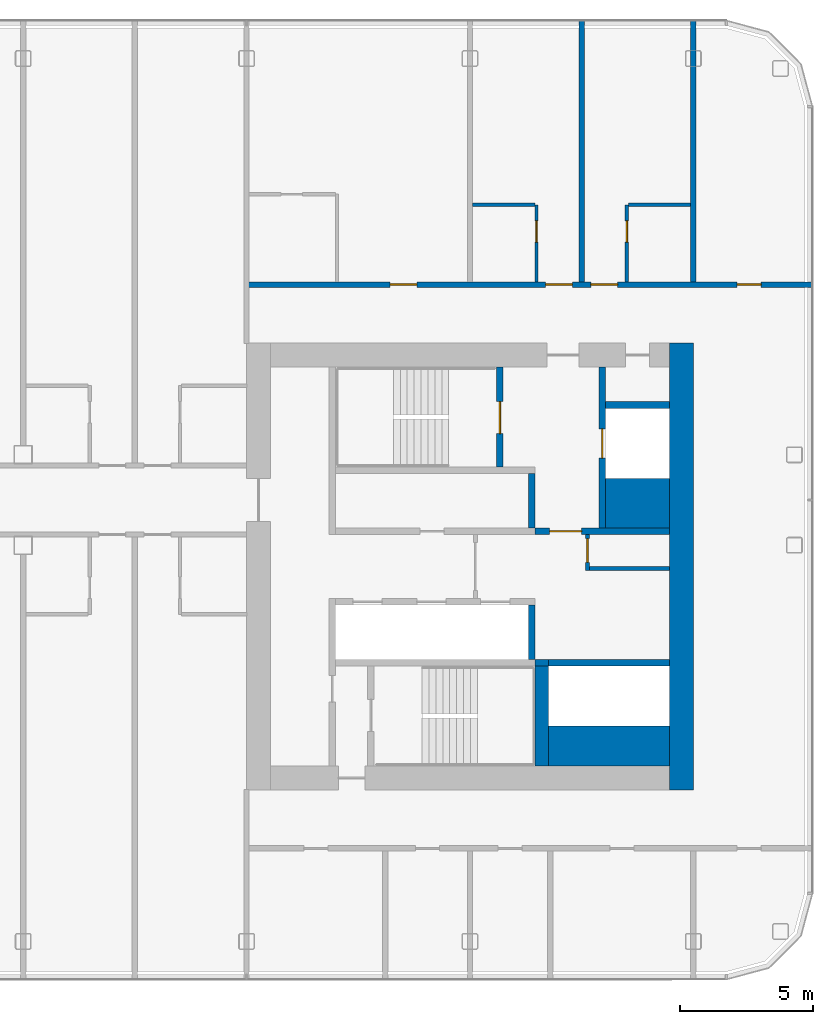
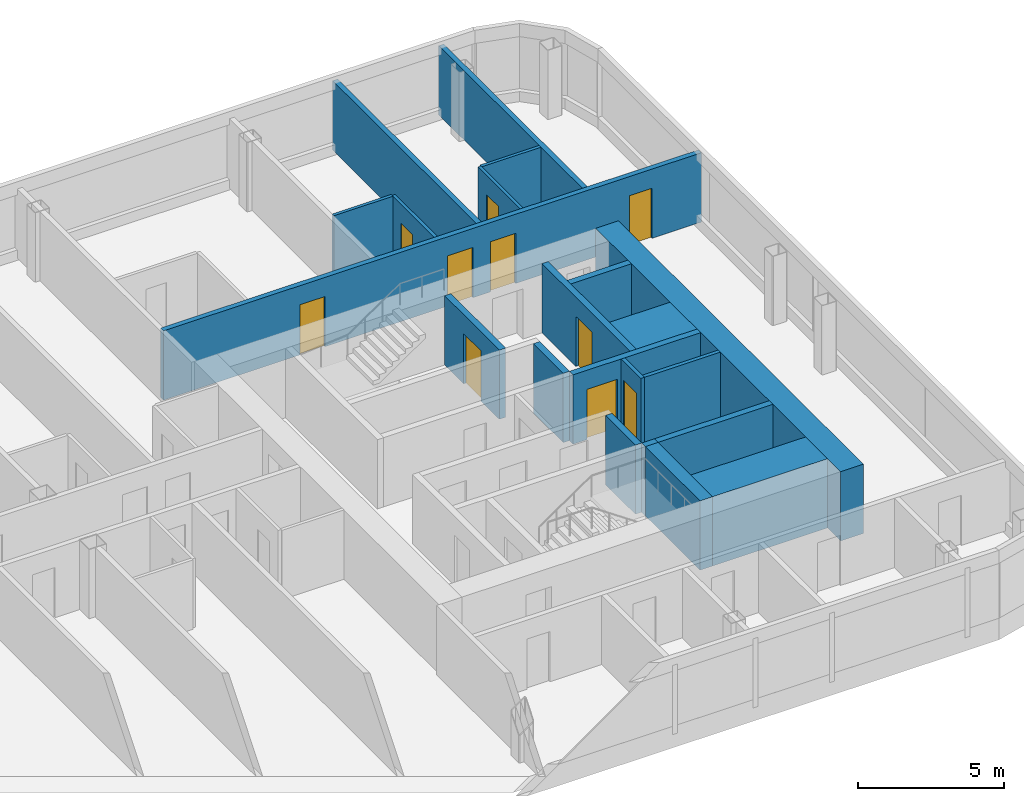
# One storey, part 17 of 26: 21 walls, 10 doors, 10 openings.
"""IFC4 building model written with IfcOpenShell, lengths in metres."""

from ifc_helpers import new_model, si_unit, direction, frame, frame_2d, origin, place, context, subcontext, project, spatial, rectangle, extrude, material, layer, layer_set, type_object, element, fill, save


model = new_model("IFC4")

# Units and contexts
model_context = context("Model", 3, precision=1e-05, world=origin(), true_north=direction((0.0, 1.0)))
body_context = subcontext(model_context, "Body", "Model", "MODEL_VIEW")
ifc_project = project(units=[si_unit("LENGTHUNIT", "METRE"), si_unit("AREAUNIT", "SQUARE_METRE"), si_unit("VOLUMEUNIT", "CUBIC_METRE"), si_unit("PLANEANGLEUNIT", "RADIAN"), si_unit("MASSUNIT", "GRAM", prefix="KILO")], contexts=[model_context])

# Site, building, storey
site_placement = place(None, origin())
site = spatial("IfcSite", under=ifc_project, at=site_placement, CompositionType="ELEMENT")
building_placement = place(site_placement, origin())
building = spatial("IfcBuilding", under=site, at=building_placement, Name="Hakoniwa Tower and Hamabe Station Hall", CompositionType="ELEMENT")
storey_placement = place(building_placement, frame((0.0, 0.0, 225.0)))
storey = spatial("IfcBuildingStorey", under=building, at=storey_placement, Name="L64", CompositionType="ELEMENT", Elevation=225.0)

# Walls
ifc_material_1 = material(Name="Gypsum board partition", Category="gypsum")
ifc_layer_1 = layer(ifc_material_1, 0.125)
ifc_layer_set_1 = layer_set([ifc_layer_1], Name="Bathroom Partition 125")
wall_type_1 = type_object("IfcWallType", Name="Bathroom Partition 125", PredefinedType="PARTITIONING", material=ifc_layer_set_1)
for number, where, z_axis, x_axis, name in (
    (1, (25.300048828125, 13.60009765625, 0.0), (0.0, 0.0, 1.0), (1.0, 0.0, 0.0), "GW-L64-017"),
    (2, (31.16259765625, 13.60009765625, 0.0), (0.0, 0.0, 1.0), (1.0, 0.0, 0.0), "GW-L64-018"),
):
    element("IfcWall", number, at=place(storey_placement, frame(where, z_axis=z_axis, x_axis=x_axis)), inside=storey, type_object=wall_type_1, Name=name, PredefinedType="PARTITIONING", context=body_context, shape_type="SweptSolid", body=[
        extrude(rectangle(XDim=2.33740234375, YDim=0.125, at=frame_2d((1.168701171875, 0.0))), origin(), (0.0, 0.0, 1.0), 2.89990234375),
    ])

# Wall, opening, door
wall_1_placement = place(storey_placement, frame((27.699951171875, 10.699951171875, 0.0), z_axis=(0.0, 0.0, 1.0), x_axis=(0.0, 1.0, 0.0)))
wall_1 = element("IfcWall", 3, at=wall_1_placement, inside=storey, type_object=wall_type_1, Name="GW-L64-058", PredefinedType="PARTITIONING", context=body_context, shape_type="SweptSolid", body=[
    extrude(rectangle(XDim=2.900146484375, YDim=0.125, at=frame_2d((1.4501953125, 0.0))), origin(), (0.0, 0.0, 1.0), 2.89990234375),
])
opening_1_placement = place(wall_1_placement, frame((1.5, 0.0, 0.0)))
opening_1 = element("IfcOpeningElement", 4, at=opening_1_placement, cuts=wall_1, Name="Opening GD-G4C2-43", PredefinedType="OPENING", context=body_context, shape_type="SweptSolid", body=[
    extrude(rectangle(XDim=0.800048828125, YDim=2.10009765625, at=frame_2d((0.39990234375, 1.050048828125))), frame((0.0, 0.072509765625, 0.0), z_axis=(0.0, -1.0, 0.0), x_axis=(1.0, 0.0, 0.0)), (0.0, 0.0, 1.0), 0.14501953125),
])
ifc_material_2 = material(Name="Timber door leaf", Category="wood")
door_type_1 = type_object("IfcDoorType", Name="Bathroom Door 800", OperationType="SINGLE_SWING_LEFT", PredefinedType="DOOR", material=ifc_material_2)
door_1_placement = place(opening_1_placement, origin())
door_1 = element("IfcDoor", 5, at=door_1_placement, inside=storey, type_object=door_type_1, Name="Door GD-G4C2-43", OperationType="SINGLE_SWING_LEFT", OverallHeight=2.10009765625, OverallWidth=0.800048828125, PredefinedType="DOOR", context=body_context, shape_type="SweptSolid", body=[
    extrude(rectangle(XDim=0.800048828125, YDim=2.10009765625, at=frame_2d((0.39990234375, 1.050048828125))), frame((0.0, 0.02490234375, 0.0), z_axis=(0.0, -1.0, 0.0), x_axis=(1.0, 0.0, 0.0)), (0.0, 0.0, 1.0), 0.050048828125),
])
fill(opening_1, door_1)

wall_2_placement = place(storey_placement, frame((31.10009765625, 10.699951171875, 0.0), z_axis=(0.0, 0.0, 1.0), x_axis=(0.0, 1.0, 0.0)))
wall_2 = element("IfcWall", 6, at=wall_2_placement, inside=storey, type_object=wall_type_1, Name="GW-L64-061", PredefinedType="PARTITIONING", context=body_context, shape_type="SweptSolid", body=[
    extrude(rectangle(XDim=2.900146484375, YDim=0.125, at=frame_2d((1.4501953125, 0.0))), origin(), (0.0, 0.0, 1.0), 2.89990234375),
])
opening_2_placement = place(wall_2_placement, frame((1.5, 0.0, 0.0)))
opening_2 = element("IfcOpeningElement", 7, at=opening_2_placement, cuts=wall_2, Name="Opening GD-G4C2-44", PredefinedType="OPENING", context=body_context, shape_type="SweptSolid", body=[
    extrude(rectangle(XDim=0.800048828125, YDim=2.10009765625, at=frame_2d((0.39990234375, 1.050048828125))), frame((0.0, 0.072509765625, 0.0), z_axis=(0.0, -1.0, 0.0), x_axis=(1.0, 0.0, 0.0)), (0.0, 0.0, 1.0), 0.14501953125),
])
door_2_placement = place(opening_2_placement, origin())
door_2 = element("IfcDoor", 8, at=door_2_placement, inside=storey, type_object=door_type_1, Name="Door GD-G4C2-44", OperationType="SINGLE_SWING_RIGHT", OverallHeight=2.10009765625, OverallWidth=0.800048828125, PredefinedType="DOOR", context=body_context, shape_type="SweptSolid", body=[
    extrude(rectangle(XDim=0.800048828125, YDim=2.10009765625, at=frame_2d((0.39990234375, 1.050048828125))), frame((0.0, 0.02490234375, 0.0), z_axis=(0.0, -1.0, 0.0), x_axis=(1.0, 0.0, 0.0)), (0.0, 0.0, 1.0), 0.050048828125),
])
fill(opening_2, door_2)

ifc_material_3 = material(Name="Gypsum board partition")
ifc_layer_2 = layer(ifc_material_3, 0.14990234375)
ifc_layer_set_2 = layer_set([ifc_layer_2], Name="CORE PARTITION 150 EI 60")
wall_type_2 = type_object("IfcWallType", Name="CORE PARTITION 150 EI 60", PredefinedType="PARTITIONING", material=ifc_layer_set_2)
wall_3_placement = place(storey_placement, frame((29.625, -0.14990234375, 0.0), z_axis=(0.0, 0.0, 1.0), x_axis=(0.0, 1.0, 0.0)))
wall_3 = element("IfcWall", 9, at=wall_3_placement, inside=storey, type_object=wall_type_2, Name="Core partition PW0 east", PredefinedType="PARTITIONING", context=body_context, shape_type="SweptSolid", body=[
    extrude(rectangle(XDim=1.349853515625, YDim=0.14990234375, at=frame_2d((0.6748046875, 0.0))), origin(), (0.0, 0.0, 1.0), 2.89990234375),
])
opening_3_placement = place(wall_3_placement, frame((0.300048828125, 0.0, 0.0)))
opening_3 = element("IfcOpeningElement", 10, at=opening_3_placement, cuts=wall_3, Name="Opening CD-E-RM1-9", PredefinedType="OPENING", context=body_context, shape_type="SweptSolid", body=[
    extrude(rectangle(XDim=0.89990234375, YDim=2.10009765625, at=frame_2d((0.449951171875, 1.050048828125))), frame((0.0, 0.0849609375, 0.0), z_axis=(0.0, -1.0, 0.0), x_axis=(1.0, 0.0, 0.0)), (0.0, 0.0, 1.0), 0.169921875),
])
ifc_material_4 = material(Name="Steel fire door", Category="steel")
door_type_2 = type_object("IfcDoorType", Name="CORE DOOR 900 FD30", OperationType="NOTDEFINED", PredefinedType="DOOR", material=ifc_material_4)
door_3_placement = place(opening_3_placement, origin())
door_3 = element("IfcDoor", 11, at=door_3_placement, inside=storey, type_object=door_type_2, Name="Store room door", OperationType="SINGLE_SWING_RIGHT", OverallHeight=2.10009765625, OverallWidth=0.89990234375, PredefinedType="DOOR", context=body_context, shape_type="SweptSolid", body=[
    extrude(rectangle(XDim=0.89990234375, YDim=2.10009765625, at=frame_2d((0.449951171875, 1.050048828125))), frame((0.0, 0.02490234375, 0.0), z_axis=(0.0, -1.0, 0.0), x_axis=(1.0, 0.0, 0.0)), (0.0, 0.0, 1.0), 0.050048828125),
])
fill(opening_3, door_3)

# Walls
wall_4_placement = place(storey_placement, frame((29.699951171875, -0.074951171875, 0.0), z_axis=(0.0, 0.0, 1.0), x_axis=(1.0, 0.0, 0.0)))
element("IfcWall", 12, at=wall_4_placement, inside=storey, type_object=wall_type_2, Name="Core partition PS east", PredefinedType="PARTITIONING", context=body_context, shape_type="SweptSolid", body=[
    extrude(rectangle(XDim=3.0, YDim=0.14990234375, at=frame_2d((1.5, 0.0))), origin(), (0.0, 0.0, 1.0), 2.89990234375),
])
ifc_material_5 = material(Name="Concrete C60", Category="concrete")
ifc_layer_3 = layer(ifc_material_5, 0.89990234375)
ifc_layer_set_3 = layer_set([ifc_layer_3], Name="CORE WALL 900 C60")
wall_type_3 = type_object("IfcWallType", Name="CORE WALL 900 C60", PredefinedType="SHEAR", material=ifc_layer_set_3)
wall_5_placement = place(storey_placement, frame((33.14990234375, -8.39990234375, 0.0), z_axis=(0.0, 0.0, 1.0), x_axis=(0.0, 1.0, 0.0)))
element("IfcWall", 13, at=wall_5_placement, inside=storey, type_object=wall_type_3, Name="Core wall OUTER east", PredefinedType="SHEAR", context=body_context, shape_type="SweptSolid", body=[
    extrude(rectangle(XDim=16.7998046875, YDim=0.89990234375, at=frame_2d((8.39990234375, 0.0))), origin(), (0.0, 0.0, 1.0), 2.89990234375),
])
ifc_material_6 = material(Name="Concrete C60", Category="concrete")
ifc_layer_4 = layer(ifc_material_6, 1.5)
ifc_layer_set_4 = layer_set([ifc_layer_4], Name="CORE WEB WALL 1500 C60")
wall_type_4 = type_object("IfcWallType", Name="CORE WEB WALL 1500 C60", PredefinedType="SHEAR", material=ifc_layer_set_4)
wall_6_placement = place(storey_placement, frame((28.14990234375, -6.75, 0.0), z_axis=(0.0, 0.0, 1.0), x_axis=(1.0, 0.0, 0.0)))
element("IfcWall", 14, at=wall_6_placement, inside=storey, type_object=wall_type_4, Name="Core wall SER east", PredefinedType="SHEAR", context=body_context, shape_type="SweptSolid", body=[
    extrude(rectangle(XDim=4.550048828125, YDim=1.5, at=frame_2d((2.27490234375, 0.0))), origin(), (0.0, 0.0, 1.0), 2.89990234375),
])
ifc_material_7 = material(Name="Concrete C60", Category="concrete")
ifc_layer_5 = layer(ifc_material_7, 1.85009765625)
ifc_layer_set_5 = layer_set([ifc_layer_5], Name="CORE WEB WALL 1850 C60")
wall_type_5 = type_object("IfcWallType", Name="CORE WEB WALL 1850 C60", PredefinedType="SHEAR", material=ifc_layer_set_5)
wall_7_placement = place(storey_placement, frame((30.300048828125, 2.375, 0.0), z_axis=(0.0, 0.0, 1.0), x_axis=(1.0, 0.0, 0.0)))
element("IfcWall", 15, at=wall_7_placement, inside=storey, type_object=wall_type_5, Name="Core wall CA east", PredefinedType="SHEAR", context=body_context, shape_type="SweptSolid", body=[
    extrude(rectangle(XDim=2.39990234375, YDim=1.85009765625, at=frame_2d((1.199951171875, 0.0))), origin(), (0.0, 0.0, 1.0), 2.89990234375),
])
ifc_material_8 = material(Name="Concrete C60", Category="concrete")
ifc_layer_6 = layer(ifc_material_8, 0.25)
ifc_layer_set_6 = layer_set([ifc_layer_6], Name="CORE WEB WALL 250 C60")
wall_type_6 = type_object("IfcWallType", Name="CORE WEB WALL 250 C60", PredefinedType="SHEAR", material=ifc_layer_set_6)
wall_8_placement = place(storey_placement, frame((27.52490234375, 1.449951171875, 0.0), z_axis=(0.0, 0.0, 1.0), x_axis=(0.0, 1.0, 0.0)))
element("IfcWall", 16, at=wall_8_placement, inside=storey, type_object=wall_type_6, Name="Core wall NE east", PredefinedType="SHEAR", context=body_context, shape_type="SweptSolid", body=[
    extrude(rectangle(XDim=2.050048828125, YDim=0.25, at=frame_2d((1.02490234375, 0.0))), origin(), (0.0, 0.0, 1.0), 2.89990234375),
])

# Wall, opening, door
wall_9_placement = place(storey_placement, frame((26.324951171875, 3.75, 0.0), z_axis=(0.0, 0.0, 1.0), x_axis=(0.0, 1.0, 0.0)))
wall_9 = element("IfcWall", 17, at=wall_9_placement, inside=storey, type_object=wall_type_6, Name="Core wall NSE east", PredefinedType="SHEAR", context=body_context, shape_type="SweptSolid", body=[
    extrude(rectangle(XDim=3.75, YDim=0.25, at=frame_2d((1.875, 0.0))), origin(), (0.0, 0.0, 1.0), 2.89990234375),
])
opening_4_placement = place(wall_9_placement, frame((1.25, 0.0, 0.0)))
opening_4 = element("IfcOpeningElement", 18, at=opening_4_placement, cuts=wall_9, Name="Opening CD-E-SN-12", PredefinedType="OPENING", context=body_context, shape_type="SweptSolid", body=[
    extrude(rectangle(XDim=1.199951171875, YDim=2.10009765625, at=frame_2d((0.60009765625, 1.050048828125))), frame((0.0, 0.135009765625, 0.0), z_axis=(0.0, -1.0, 0.0), x_axis=(1.0, 0.0, 0.0)), (0.0, 0.0, 1.0), 0.27001953125),
])
ifc_material_9 = material(Name="Steel fire door", Category="steel")
door_type_3 = type_object("IfcDoorType", Name="CORE DOOR 1200 FD60", OperationType="DOUBLE_DOOR_SINGLE_SWING", PredefinedType="DOOR", material=ifc_material_9)
door_4_placement = place(opening_4_placement, origin())
door_4 = element("IfcDoor", 19, at=door_4_placement, inside=storey, type_object=door_type_3, Name="Escape stair door", OperationType="DOUBLE_DOOR_SINGLE_SWING", OverallHeight=2.10009765625, OverallWidth=1.199951171875, PredefinedType="DOOR", context=body_context, shape_type="SweptSolid", body=[
    extrude(rectangle(XDim=1.199951171875, YDim=2.10009765625, at=frame_2d((0.60009765625, 1.050048828125))), frame((0.0, 0.02490234375, 0.0), z_axis=(0.0, -1.0, 0.0), x_axis=(1.0, 0.0, 0.0)), (0.0, 0.0, 1.0), 0.050048828125),
])
fill(opening_4, door_4)

wall_10_placement = place(storey_placement, frame((27.64990234375, 1.324951171875, 0.0), z_axis=(0.0, 0.0, 1.0), x_axis=(1.0, 0.0, 0.0)))
wall_10 = element("IfcWall", 20, at=wall_10_placement, inside=storey, type_object=wall_type_6, Name="Core wall ELN east", PredefinedType="SHEAR", context=body_context, shape_type="SweptSolid", body=[
    extrude(rectangle(XDim=5.050048828125, YDim=0.25, at=frame_2d((2.52490234375, 0.0))), origin(), (0.0, 0.0, 1.0), 2.89990234375),
])
opening_5_placement = place(wall_10_placement, frame((0.550048828125, 0.0, 0.0)))
opening_5 = element("IfcOpeningElement", 21, at=opening_5_placement, cuts=wall_10, Name="Opening CD-E-FL-12", PredefinedType="OPENING", context=body_context, shape_type="SweptSolid", body=[
    extrude(rectangle(XDim=1.199951171875, YDim=2.10009765625, at=frame_2d((0.60009765625, 1.050048828125))), frame((0.0, 0.135009765625, 0.0), z_axis=(0.0, -1.0, 0.0), x_axis=(1.0, 0.0, 0.0)), (0.0, 0.0, 1.0), 0.27001953125),
])
door_5_placement = place(opening_5_placement, origin())
door_5 = element("IfcDoor", 22, at=door_5_placement, inside=storey, type_object=door_type_3, Name="Stair vestibule door to the fire-fighting lobby", OperationType="DOUBLE_DOOR_SINGLE_SWING", OverallHeight=2.10009765625, OverallWidth=1.199951171875, PredefinedType="DOOR", context=body_context, shape_type="SweptSolid", body=[
    extrude(rectangle(XDim=1.199951171875, YDim=2.10009765625, at=frame_2d((0.60009765625, 1.050048828125))), frame((0.0, 0.02490234375, 0.0), z_axis=(0.0, -1.0, 0.0), x_axis=(1.0, 0.0, 0.0)), (0.0, 0.0, 1.0), 0.050048828125),
])
fill(opening_5, door_5)

wall_11_placement = place(storey_placement, frame((30.175048828125, 1.449951171875, 0.0), z_axis=(0.0, 0.0, 1.0), x_axis=(0.0, 1.0, 0.0)))
wall_11 = element("IfcWall", 23, at=wall_11_placement, inside=storey, type_object=wall_type_6, Name="Core wall FFF east", PredefinedType="SHEAR", context=body_context, shape_type="SweptSolid", body=[
    extrude(rectangle(XDim=6.050048828125, YDim=0.25, at=frame_2d((3.02490234375, 0.0))), origin(), (0.0, 0.0, 1.0), 2.89990234375),
])
opening_6_placement = place(wall_11_placement, frame((2.625, 0.0, 0.0)))
opening_6 = element("IfcOpeningElement", 24, at=opening_6_placement, cuts=wall_11, Name="Opening LD-FF2", PredefinedType="OPENING", context=body_context, shape_type="SweptSolid", body=[
    extrude(rectangle(XDim=1.10009765625, YDim=2.10009765625, at=frame_2d((0.550048828125, 1.050048828125))), frame((0.0, 0.135009765625, 0.0), z_axis=(0.0, -1.0, 0.0), x_axis=(1.0, 0.0, 0.0)), (0.0, 0.0, 1.0), 0.27001953125),
])
ifc_material_10 = material(Name="Stainless steel SUS304", Category="steel")
door_type_4 = type_object("IfcDoorType", Name="LIFT LANDING DOOR 1100 FD60", OperationType="DOUBLE_DOOR_SLIDING", PredefinedType="DOOR", material=ifc_material_10)
door_6_placement = place(opening_6_placement, origin())
door_6 = element("IfcDoor", 25, at=door_6_placement, inside=storey, type_object=door_type_4, Name="Lift landing door FF2 L64", OperationType="DOUBLE_DOOR_SLIDING", OverallHeight=2.10009765625, OverallWidth=1.10009765625, PredefinedType="DOOR", context=body_context, shape_type="SweptSolid", body=[
    extrude(rectangle(XDim=1.10009765625, YDim=2.10009765625, at=frame_2d((0.550048828125, 1.050048828125))), frame((0.0, 0.02490234375, 0.0), z_axis=(0.0, -1.0, 0.0), x_axis=(1.0, 0.0, 0.0)), (0.0, 0.0, 1.0), 0.050048828125),
])
fill(opening_6, door_6)

# Walls
wall_12_placement = place(storey_placement, frame((30.300048828125, 6.074951171875, 0.0), z_axis=(0.0, 0.0, 1.0), x_axis=(1.0, 0.0, 0.0)))
element("IfcWall", 26, at=wall_12_placement, inside=storey, type_object=wall_type_6, Name="Core wall C2 east", PredefinedType="SHEAR", context=body_context, shape_type="SweptSolid", body=[
    extrude(rectangle(XDim=2.39990234375, YDim=0.25, at=frame_2d((1.199951171875, 0.0))), origin(), (0.0, 0.0, 1.0), 2.89990234375),
])
wall_13_placement = place(storey_placement, frame((27.52490234375, -3.5, 0.0), z_axis=(0.0, 0.0, 1.0), x_axis=(0.0, 1.0, 0.0)))
element("IfcWall", 27, at=wall_13_placement, inside=storey, type_object=wall_type_6, Name="Core wall SE east", PredefinedType="SHEAR", context=body_context, shape_type="SweptSolid", body=[
    extrude(rectangle(XDim=2.050048828125, YDim=0.25, at=frame_2d((1.02490234375, 0.0))), origin(), (0.0, 0.0, 1.0), 2.89990234375),
])
wall_14_placement = place(storey_placement, frame((28.14990234375, -3.625, 0.0), z_axis=(0.0, 0.0, 1.0), x_axis=(1.0, 0.0, 0.0)))
element("IfcWall", 28, at=wall_14_placement, inside=storey, type_object=wall_type_6, Name="Core wall SEF east", PredefinedType="SHEAR", context=body_context, shape_type="SweptSolid", body=[
    extrude(rectangle(XDim=4.550048828125, YDim=0.25, at=frame_2d((2.27490234375, 0.0))), origin(), (0.0, 0.0, 1.0), 2.89990234375),
])
wall_15_placement = place(storey_placement, frame((27.64990234375, -3.625, 0.0), z_axis=(0.0, 0.0, 1.0), x_axis=(1.0, 0.0, 0.0)))
element("IfcWall", 29, at=wall_15_placement, inside=storey, type_object=wall_type_6, Name="Core wall SRK east", PredefinedType="SHEAR", context=body_context, shape_type="SweptSolid", body=[
    extrude(rectangle(XDim=0.5, YDim=0.25, at=frame_2d((0.25, 0.0))), origin(), (0.0, 0.0, 1.0), 2.89990234375),
])
ifc_material_11 = material(Name="Concrete C60", Category="concrete")
ifc_layer_7 = layer(ifc_material_11, 0.5)
ifc_layer_set_7 = layer_set([ifc_layer_7], Name="CORE WEB WALL 500 C60")
wall_type_7 = type_object("IfcWallType", Name="CORE WEB WALL 500 C60", PredefinedType="SHEAR", material=ifc_layer_set_7)
wall_16_placement = place(storey_placement, frame((27.89990234375, -7.5, 0.0), z_axis=(0.0, 0.0, 1.0), x_axis=(0.0, 1.0, 0.0)))
element("IfcWall", 30, at=wall_16_placement, inside=storey, type_object=wall_type_7, Name="Core wall SSE east", PredefinedType="SHEAR", context=body_context, shape_type="SweptSolid", body=[
    extrude(rectangle(XDim=3.75, YDim=0.5, at=frame_2d((1.875, 0.0))), origin(), (0.0, 0.0, 1.0), 2.89990234375),
])

# Wall, openings, doors
ifc_material_12 = material(Name="Fire-rated gypsum board partition", Category="gypsum")
ifc_layer_8 = layer(ifc_material_12, 0.199951171875)
ifc_layer_set_8 = layer_set([ifc_layer_8], Name="Corridor Wall 200")
wall_type_8 = type_object("IfcWallType", Name="Corridor Wall 200", PredefinedType="PARTITIONING", material=ifc_layer_set_8)
wall_17_placement = place(storey_placement, frame((16.800048828125, 10.60009765625, 0.0), z_axis=(0.0, 0.0, 1.0), x_axis=(1.0, 0.0, 0.0)))
wall_17 = element("IfcWall", 31, at=wall_17_placement, inside=storey, type_object=wall_type_8, Name="GW-L64-016", PredefinedType="PARTITIONING", context=body_context, shape_type="SweptSolid", body=[
    extrude(rectangle(XDim=21.300048828125, YDim=0.199951171875, at=frame_2d((10.64990234375, 0.0))), origin(), (0.0, 0.0, 1.0), 2.89990234375),
])
opening_7_placement = place(wall_17_placement, frame((5.39990234375, 0.0, 0.0)))
opening_7 = element("IfcOpeningElement", 32, at=opening_7_placement, cuts=wall_17, Name="Opening GD-G4C2-28", PredefinedType="OPENING", context=body_context, shape_type="SweptSolid", body=[
    extrude(rectangle(XDim=1.0, YDim=2.10009765625, at=frame_2d((0.5, 1.050048828125))), frame((0.0, 0.10986328125, 0.0), z_axis=(0.0, -1.0, 0.0), x_axis=(1.0, 0.0, 0.0)), (0.0, 0.0, 1.0), 0.219970703125),
])
opening_8_placement = place(wall_17_placement, frame((11.25, 0.0, 0.0)))
opening_8 = element("IfcOpeningElement", 33, at=opening_8_placement, cuts=wall_17, Name="Opening GD-G4C2-29", PredefinedType="OPENING", context=body_context, shape_type="SweptSolid", body=[
    extrude(rectangle(XDim=1.0, YDim=2.10009765625, at=frame_2d((0.5, 1.050048828125))), frame((0.0, 0.10986328125, 0.0), z_axis=(0.0, -1.0, 0.0), x_axis=(1.0, 0.0, 0.0)), (0.0, 0.0, 1.0), 0.219970703125),
])
opening_9_placement = place(wall_17_placement, frame((12.949951171875, 0.0, 0.0)))
opening_9 = element("IfcOpeningElement", 34, at=opening_9_placement, cuts=wall_17, Name="Opening GD-G4C2-30", PredefinedType="OPENING", context=body_context, shape_type="SweptSolid", body=[
    extrude(rectangle(XDim=1.0, YDim=2.10009765625, at=frame_2d((0.5, 1.050048828125))), frame((0.0, 0.10986328125, 0.0), z_axis=(0.0, -1.0, 0.0), x_axis=(1.0, 0.0, 0.0)), (0.0, 0.0, 1.0), 0.219970703125),
])
opening_10_placement = place(wall_17_placement, frame((18.449951171875, 0.0, 0.0)))
opening_10 = element("IfcOpeningElement", 35, at=opening_10_placement, cuts=wall_17, Name="Opening GD-G4C2-31", PredefinedType="OPENING", context=body_context, shape_type="SweptSolid", body=[
    extrude(rectangle(XDim=0.89990234375, YDim=2.10009765625, at=frame_2d((0.449951171875, 1.050048828125))), frame((0.0, 0.10986328125, 0.0), z_axis=(0.0, -1.0, 0.0), x_axis=(1.0, 0.0, 0.0)), (0.0, 0.0, 1.0), 0.219970703125),
])
ifc_material_13 = material(Name="Timber door leaf", Category="wood")
door_type_5 = type_object("IfcDoorType", Name="Guest Entrance Door 1000", OperationType="SINGLE_SWING_LEFT", PredefinedType="DOOR", material=ifc_material_13)
door_7_placement = place(opening_7_placement, origin())
door_7 = element("IfcDoor", 36, at=door_7_placement, inside=storey, type_object=door_type_5, Name="Door GD-G4C2-28", OperationType="SINGLE_SWING_RIGHT", OverallHeight=2.10009765625, OverallWidth=1.0, PredefinedType="DOOR", context=body_context, shape_type="SweptSolid", body=[
    extrude(rectangle(XDim=1.0, YDim=2.10009765625, at=frame_2d((0.5, 1.050048828125))), frame((0.0, 0.02490234375, 0.0), z_axis=(0.0, -1.0, 0.0), x_axis=(1.0, 0.0, 0.0)), (0.0, 0.0, 1.0), 0.050048828125),
])
fill(opening_7, door_7)
door_8_placement = place(opening_8_placement, origin())
door_8 = element("IfcDoor", 37, at=door_8_placement, inside=storey, type_object=door_type_5, Name="Door GD-G4C2-29", OperationType="SINGLE_SWING_LEFT", OverallHeight=2.10009765625, OverallWidth=1.0, PredefinedType="DOOR", context=body_context, shape_type="SweptSolid", body=[
    extrude(rectangle(XDim=1.0, YDim=2.10009765625, at=frame_2d((0.5, 1.050048828125))), frame((0.0, 0.02490234375, 0.0), z_axis=(0.0, -1.0, 0.0), x_axis=(1.0, 0.0, 0.0)), (0.0, 0.0, 1.0), 0.050048828125),
])
fill(opening_8, door_8)
door_9_placement = place(opening_9_placement, origin())
door_9 = element("IfcDoor", 38, at=door_9_placement, inside=storey, type_object=door_type_5, Name="Door GD-G4C2-30", OperationType="SINGLE_SWING_LEFT", OverallHeight=2.10009765625, OverallWidth=1.0, PredefinedType="DOOR", context=body_context, shape_type="SweptSolid", body=[
    extrude(rectangle(XDim=1.0, YDim=2.10009765625, at=frame_2d((0.5, 1.050048828125))), frame((0.0, 0.02490234375, 0.0), z_axis=(0.0, -1.0, 0.0), x_axis=(1.0, 0.0, 0.0)), (0.0, 0.0, 1.0), 0.050048828125),
])
fill(opening_9, door_9)
ifc_material_14 = material(Name="Timber door leaf", Category="wood")
door_type_6 = type_object("IfcDoorType", Name="Service Door 900", OperationType="SINGLE_SWING_LEFT", PredefinedType="DOOR", material=ifc_material_14)
door_10_placement = place(opening_10_placement, origin())
door_10 = element("IfcDoor", 39, at=door_10_placement, inside=storey, type_object=door_type_6, Name="Door GD-G4C2-31", OperationType="SINGLE_SWING_RIGHT", OverallHeight=2.10009765625, OverallWidth=0.89990234375, PredefinedType="DOOR", context=body_context, shape_type="SweptSolid", body=[
    extrude(rectangle(XDim=0.89990234375, YDim=2.10009765625, at=frame_2d((0.449951171875, 1.050048828125))), frame((0.0, 0.02490234375, 0.0), z_axis=(0.0, -1.0, 0.0), x_axis=(1.0, 0.0, 0.0)), (0.0, 0.0, 1.0), 0.050048828125),
])
fill(opening_10, door_10)

# Walls
ifc_material_15 = material(Name="Fire-rated gypsum board partition", Category="gypsum")
ifc_layer_9 = layer(ifc_material_15, 0.199951171875)
ifc_layer_set_9 = layer_set([ifc_layer_9], Name="Party Wall 200")
wall_type_9 = type_object("IfcWallType", Name="Party Wall 200", PredefinedType="PARTITIONING", material=ifc_layer_set_9)
for number, where, z_axis, x_axis, name in (
    (40, (29.39990234375, 10.699951171875, 0.0), (0.0, 0.0, 1.0), (0.0, 1.0, 0.0), "GW-L64-060"),
    (41, (33.60009765625, 10.699951171875, 0.0), (0.0, 0.0, 1.0), (0.0, 1.0, 0.0), "GW-L64-063"),
):
    element("IfcWall", number, at=place(storey_placement, frame(where, z_axis=z_axis, x_axis=x_axis)), inside=storey, type_object=wall_type_9, Name=name, PredefinedType="PARTITIONING", context=body_context, shape_type="SweptSolid", body=[
        extrude(rectangle(XDim=9.85009765625, YDim=0.199951171875, at=frame_2d((4.925048828125, 0.0))), origin(), (0.0, 0.0, 1.0), 2.89990234375),
    ])

save(model, "model.ifc")
